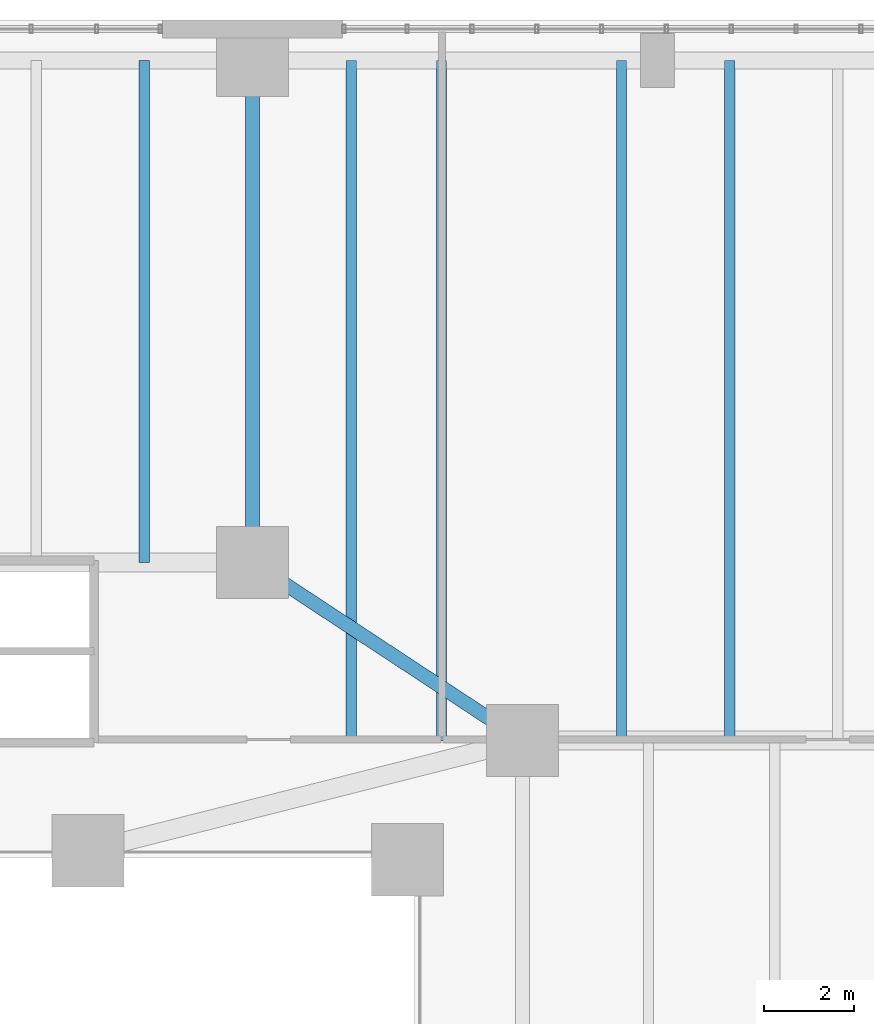
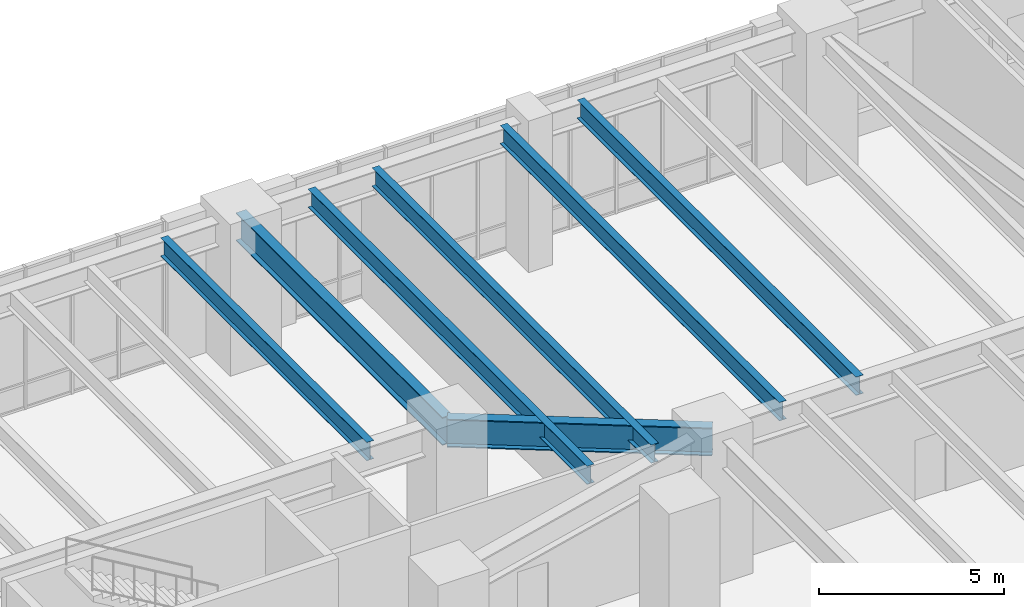
# One storey, part 14 of 26: 7 beams.
"""IFC4 building model written with IfcOpenShell, lengths in metres."""

from ifc_helpers import new_model, si_unit, direction, frame, origin, origin_2d, place, context, subcontext, project, spatial, i_section, extrude, material, material_profile, profile_set, type_object, element, save


model = new_model("IFC4")

# Units and contexts
model_context = context("Model", 3, precision=1e-05, world=origin(), true_north=direction((0.0, 1.0)))
body_context = subcontext(model_context, "Body", "Model", "MODEL_VIEW")
ifc_project = project(units=[si_unit("LENGTHUNIT", "METRE"), si_unit("AREAUNIT", "SQUARE_METRE"), si_unit("VOLUMEUNIT", "CUBIC_METRE"), si_unit("PLANEANGLEUNIT", "RADIAN"), si_unit("MASSUNIT", "GRAM", prefix="KILO"), si_unit("THERMODYNAMICTEMPERATUREUNIT", "KELVIN"), si_unit("POWERUNIT", "WATT")], contexts=[model_context])

# Site, building, storey
site_placement = place(None, origin())
site = spatial("IfcSite", under=ifc_project, at=site_placement, CompositionType="ELEMENT")
building_placement = place(site_placement, origin())
building = spatial("IfcBuilding", under=site, at=building_placement, Name="Skarre Station Tower", CompositionType="ELEMENT")
storey_placement = place(building_placement, frame((0.0, 0.0, 6.0)))
storey = spatial("IfcBuildingStorey", under=building, at=storey_placement, Name="L02", CompositionType="ELEMENT", Elevation=6.0)

# Beams
ifc_material = material(Name="Steel ASTM A992 Grade 50", Category="steel")
ifc_material_profile_1 = material_profile(ifc_material, i_section(OverallWidth=0.30810546875, OverallDepth=0.927001953125, WebThickness=0.01904296875, FlangeThickness=0.031982421875, at=origin_2d()), Name="Steel ASTM A992 Grade 50")
ifc_profile_set_1 = profile_set([ifc_material_profile_1], Name="Steel ASTM A992 Grade 50")
beam_type_1 = type_object("IfcBeamType", Name="Steel Beam W36X194", PredefinedType="BEAM", material=ifc_profile_set_1)
beam_1_placement = place(storey_placement, frame((42.0, 32.0, 4.22607421875), z_axis=(-0.835251957938, 0.549867408345, 0.0), x_axis=(-0.549867408345, -0.835251957938, 0.0)))
element("IfcBeam", 1, at=beam_1_placement, inside=storey, type_object=beam_type_1, Name="L02 Concourse Transverse Girder NS5B", PredefinedType="BEAM", context=body_context, shape_type="SweptSolid", body=[
    extrude(i_section(OverallWidth=0.30810546875, OverallDepth=0.927001953125, WebThickness=0.01904296875, FlangeThickness=0.031982421875, at=origin_2d()), origin(), (0.0, 0.0, 1.0), 7.183349609375),
])
beam_2_placement = place(storey_placement, frame((36.0, 35.949951171875, 4.22607421875), z_axis=(0.0, 1.0, 0.0), x_axis=(-1.0, 0.0, 0.0)))
element("IfcBeam", 2, at=beam_2_placement, inside=storey, type_object=beam_type_1, Name="L02 Concourse Transverse Girder NS5", PredefinedType="BEAM", context=body_context, shape_type="SweptSolid", body=[
    extrude(i_section(OverallWidth=0.30810546875, OverallDepth=0.927001953125, WebThickness=0.01904296875, FlangeThickness=0.031982421875, at=origin_2d()), origin(), (0.0, 0.0, 1.0), 11.150146484375),
])
ifc_material_profile_2 = material_profile(ifc_material, i_section(OverallWidth=0.22802734375, OverallDepth=0.60791015625, WebThickness=0.010986328125, FlangeThickness=0.01708984375, at=origin_2d()), Name="Steel ASTM A992 Grade 50")
ifc_profile_set_2 = profile_set([ifc_material_profile_2], Name="Steel ASTM A992 Grade 50")
beam_type_2 = type_object("IfcBeamType", Name="Steel Joist W24X76", PredefinedType="JOIST", material=ifc_profile_set_2)
beam_3_placement = place(storey_placement, frame((33.60009765625, 35.949951171875, 4.385986328125), z_axis=(0.0, 1.0, 0.0), x_axis=(-1.0, 0.0, 0.0)))
element("IfcBeam", 3, at=beam_3_placement, inside=storey, type_object=beam_type_2, Name="L02 North Bay Joist 13", PredefinedType="JOIST", context=body_context, shape_type="SweptSolid", body=[
    extrude(i_section(OverallWidth=0.22802734375, OverallDepth=0.60791015625, WebThickness=0.010986328125, FlangeThickness=0.01708984375, at=origin_2d()), origin(), (0.0, 0.0, 1.0), 11.150146484375),
])
for number, where, z_axis, x_axis, name in (
    (4, (38.199951171875, 32.0, 4.385986328125), (0.0, 1.0, 0.0), (-1.0, 0.0, 0.0), "L02 North Bay Joist 14"),
    (5, (40.199951171875, 32.0, 4.385986328125), (0.0, 1.0, 0.0), (-1.0, 0.0, 0.0), "L02 North Bay Joist 15"),
    (6, (44.199951171875, 32.0, 4.385986328125), (0.0, 1.0, 0.0), (-1.0, 0.0, 0.0), "L02 North Bay Joist 16"),
    (7, (46.60009765625, 32.0, 4.385986328125), (0.0, 1.0, 0.0), (-1.0, 0.0, 0.0), "L02 North Bay Joist 17"),
):
    element("IfcBeam", number, at=place(storey_placement, frame(where, z_axis=z_axis, x_axis=x_axis)), inside=storey, type_object=beam_type_2, Name=name, PredefinedType="JOIST", context=body_context, shape_type="SweptSolid", body=[
        extrude(i_section(OverallWidth=0.22802734375, OverallDepth=0.60791015625, WebThickness=0.010986328125, FlangeThickness=0.01708984375, at=origin_2d()), origin(), (0.0, 0.0, 1.0), 15.10009765625),
    ])

save(model, "model.ifc")
